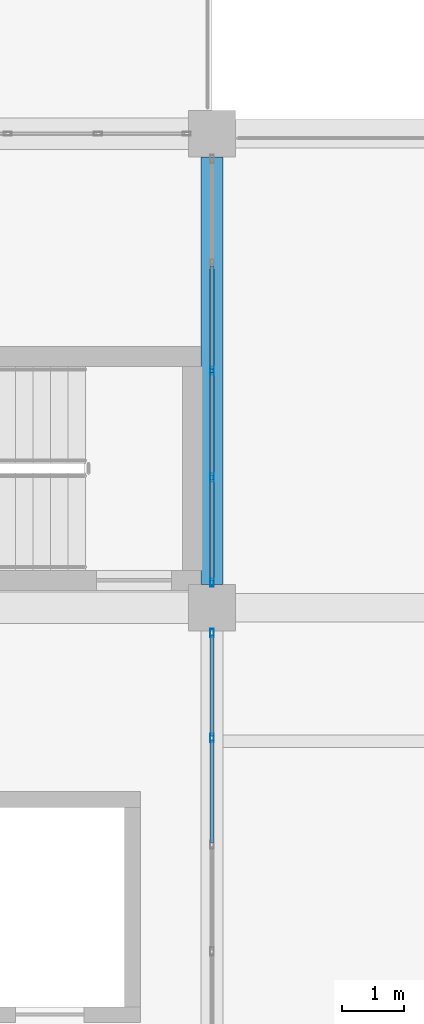
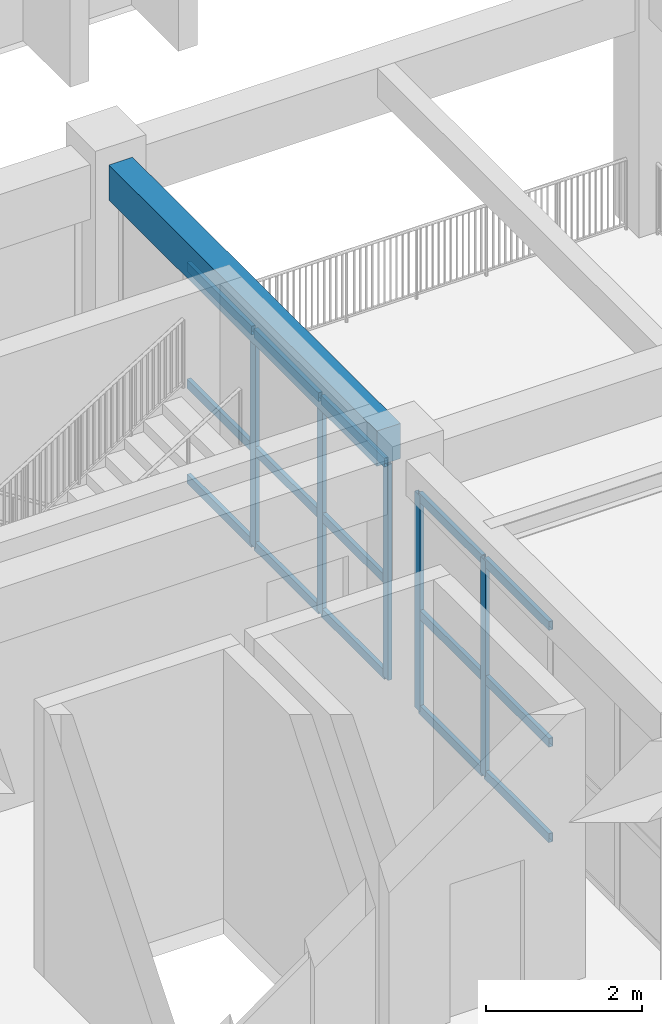
# One storey, part 27 of 63: 20 members, 1 beam, 2 elements without a shape of their own.
"""IFC4 building model written with IfcOpenShell, lengths in metres."""

from ifc_helpers import new_model, si_unit, direction, frame, origin, origin_2d, place, context, subcontext, project, spatial, rectangle, hollow_rectangle, extrude, material, material_profile, profile_set, type_object, element, aggregate, save


model = new_model("IFC4")

# Units and contexts
model_context = context("Model", 3, precision=1e-05, world=origin(), true_north=direction((0.0, 1.0)))
body_context = subcontext(model_context, "Body", "Model", "MODEL_VIEW")
ifc_project = project(units=[si_unit("LENGTHUNIT", "METRE"), si_unit("AREAUNIT", "SQUARE_METRE"), si_unit("VOLUMEUNIT", "CUBIC_METRE"), si_unit("PLANEANGLEUNIT", "RADIAN"), si_unit("MASSUNIT", "GRAM", prefix="KILO")], contexts=[model_context])

# Site, building, storey
site_placement = place(None, origin())
site = spatial("IfcSite", under=ifc_project, at=site_placement, CompositionType="ELEMENT")
building_placement = place(site_placement, origin())
building = spatial("IfcBuilding", under=site, at=building_placement, Name="Zantavel Square City Hall", CompositionType="ELEMENT")
storey_placement = place(building_placement, frame((0.0, 0.0, 14.699951171875)))
storey = spatial("IfcBuildingStorey", under=building, at=storey_placement, Name="L04", CompositionType="ELEMENT", Elevation=14.699951171875)

# Curtain wall, members
ifc_material_1 = material(Name="Anodised aluminium 6063-T6", Category="aluminium")
curtain_wall_type = type_object("IfcCurtainWallType", Name="Curtain Wall TRV1 6850x3370", PredefinedType="USERDEFINED", material=ifc_material_1)
curtain_wall_1_placement = place(storey_placement, origin())
curtain_wall_1 = element("IfcCurtainWall", 1, at=curtain_wall_1_placement, inside=storey, type_object=curtain_wall_type, Name="L04 Glazed Curtain Wall CW-L04-111", ObjectType="GLAZED CURTAIN WALL", PredefinedType="USERDEFINED")
ifc_material_profile_1 = material_profile(ifc_material_1, hollow_rectangle(XDim=0.06005859375, YDim=0.135009765625, WallThickness=0.00390625, at=origin_2d()), Name="ALU 60x135x4")
ifc_profile_set_1 = profile_set([ifc_material_profile_1], Name="Anodised aluminium 6063-T6")
member_type_1 = type_object("IfcMemberType", Name="CW Mullion ALU 60x135x4", PredefinedType="MULLION", material=ifc_profile_set_1)
member_1_placement = place(storey_placement, frame((104.0, 64.60009765625, 0.0), z_axis=(0.0, 0.0, 1.0), x_axis=(1.0, 0.0, 0.0)))
member_1 = element("IfcMember", 2, at=member_1_placement, type_object=member_type_1, Name="CW-111 mullion 3", PredefinedType="MULLION", context=body_context, shape_type="SweptSolid", body=[
    extrude(hollow_rectangle(XDim=0.06005859375, YDim=0.135009765625, WallThickness=0.00390625, at=origin_2d()), origin(), (0.0, 0.0, 1.0), 3.3701171875),
])
member_2_placement = place(storey_placement, frame((104.0, 62.887451171875, 0.0), z_axis=(0.0, 0.0, 1.0), x_axis=(1.0, 0.0, 0.0)))
member_2 = element("IfcMember", 3, at=member_2_placement, type_object=member_type_1, Name="CW-111 mullion 4", PredefinedType="MULLION", context=body_context, shape_type="SweptSolid", body=[
    extrude(hollow_rectangle(XDim=0.06005859375, YDim=0.135009765625, WallThickness=0.00390625, at=origin_2d()), origin(), (0.0, 0.0, 1.0), 3.3701171875),
])
member_3_placement = place(storey_placement, frame((104.0, 61.205078125, 0.0), z_axis=(0.0, 0.0, 1.0), x_axis=(1.0, 0.0, 0.0)))
member_3 = element("IfcMember", 4, at=member_3_placement, type_object=member_type_1, Name="CW-111 mullion 5", PredefinedType="MULLION", context=body_context, shape_type="SweptSolid", body=[
    extrude(hollow_rectangle(XDim=0.06005859375, YDim=0.135009765625, WallThickness=0.00390625, at=origin_2d()), origin(), (0.0, 0.0, 1.0), 3.3701171875),
])

curtain_wall_2_placement = place(storey_placement, origin())
curtain_wall_2 = element("IfcCurtainWall", 5, at=curtain_wall_2_placement, inside=storey, type_object=curtain_wall_type, Name="L04 Glazed Curtain Wall CW-L04-112", ObjectType="GLAZED CURTAIN WALL", PredefinedType="USERDEFINED")
member_4_placement = place(storey_placement, frame((104.0, 60.39501953125, 0.0), z_axis=(0.0, 0.0, 1.0), x_axis=(1.0, 0.0, 0.0)))
member_4 = element("IfcMember", 6, at=member_4_placement, type_object=member_type_1, Name="CW-112 mullion 1", PredefinedType="MULLION", context=body_context, shape_type="SweptSolid", body=[
    extrude(hollow_rectangle(XDim=0.06005859375, YDim=0.135009765625, WallThickness=0.00390625, at=origin_2d()), origin(), (0.0, 0.0, 1.0), 3.3701171875),
])
member_5_placement = place(storey_placement, frame((104.0, 58.71240234375, 0.0), z_axis=(0.0, 0.0, 1.0), x_axis=(1.0, 0.0, 0.0)))
member_5 = element("IfcMember", 7, at=member_5_placement, type_object=member_type_1, Name="CW-112 mullion 2", PredefinedType="MULLION", context=body_context, shape_type="SweptSolid", body=[
    extrude(hollow_rectangle(XDim=0.06005859375, YDim=0.135009765625, WallThickness=0.00390625, at=origin_2d()), origin(), (0.0, 0.0, 1.0), 3.3701171875),
])

# Member
ifc_material_profile_2 = material_profile(ifc_material_1, hollow_rectangle(XDim=0.06005859375, YDim=0.139892578125, WallThickness=0.00390625, at=origin_2d()), Name="ALU 60x140x4")
ifc_profile_set_2 = profile_set([ifc_material_profile_2], Name="Anodised aluminium 6063-T6")
member_type_2 = type_object("IfcMemberType", Name="CW Transom ALU 60x140x4", PredefinedType="USERDEFINED", material=ifc_profile_set_2)
member_6_placement = place(storey_placement, frame((104.0, 66.282470703125, 0.030029296875), z_axis=(0.0, -1.0, 0.0), x_axis=(1.0, 0.0, 0.0)))
member_6 = element("IfcMember", 8, at=member_6_placement, type_object=member_type_2, Name="CW-111 transom 2.1", ObjectType="TRANSOM", PredefinedType="USERDEFINED", context=body_context, shape_type="SweptSolid", body=[
    extrude(hollow_rectangle(XDim=0.06005859375, YDim=0.139892578125, WallThickness=0.00390625, at=origin_2d()), origin(), (0.0, 0.0, 1.0), 1.652587890625),
])

member_7_placement = place(storey_placement, frame((104.0, 66.282470703125, 1.51708984375), z_axis=(0.0, -1.0, 0.0), x_axis=(1.0, 0.0, 0.0)))
member_7 = element("IfcMember", 9, at=member_7_placement, type_object=member_type_2, Name="CW-111 transom 2.2", ObjectType="TRANSOM", PredefinedType="USERDEFINED", context=body_context, shape_type="SweptSolid", body=[
    extrude(hollow_rectangle(XDim=0.06005859375, YDim=0.139892578125, WallThickness=0.00390625, at=origin_2d()), origin(), (0.0, 0.0, 1.0), 1.652587890625),
])

member_8_placement = place(storey_placement, frame((104.0, 66.282470703125, 3.340087890625), z_axis=(0.0, -1.0, 0.0), x_axis=(1.0, 0.0, 0.0)))
member_8 = element("IfcMember", 10, at=member_8_placement, type_object=member_type_2, Name="CW-111 transom 2.3", ObjectType="TRANSOM", PredefinedType="USERDEFINED", context=body_context, shape_type="SweptSolid", body=[
    extrude(hollow_rectangle(XDim=0.06005859375, YDim=0.139892578125, WallThickness=0.00390625, at=origin_2d()), origin(), (0.0, 0.0, 1.0), 1.652587890625),
])

member_9_placement = place(storey_placement, frame((104.0, 64.570068359375, 0.030029296875), z_axis=(0.0, -1.0, 0.0), x_axis=(1.0, 0.0, 0.0)))
member_9 = element("IfcMember", 11, at=member_9_placement, type_object=member_type_2, Name="CW-111 transom 3.1", ObjectType="TRANSOM", PredefinedType="USERDEFINED", context=body_context, shape_type="SweptSolid", body=[
    extrude(hollow_rectangle(XDim=0.06005859375, YDim=0.139892578125, WallThickness=0.00390625, at=origin_2d()), origin(), (0.0, 0.0, 1.0), 1.652587890625),
])

member_10_placement = place(storey_placement, frame((104.0, 64.570068359375, 1.51708984375), z_axis=(0.0, -1.0, 0.0), x_axis=(1.0, 0.0, 0.0)))
member_10 = element("IfcMember", 12, at=member_10_placement, type_object=member_type_2, Name="CW-111 transom 3.2", ObjectType="TRANSOM", PredefinedType="USERDEFINED", context=body_context, shape_type="SweptSolid", body=[
    extrude(hollow_rectangle(XDim=0.06005859375, YDim=0.139892578125, WallThickness=0.00390625, at=origin_2d()), origin(), (0.0, 0.0, 1.0), 1.652587890625),
])

member_11_placement = place(storey_placement, frame((104.0, 64.570068359375, 3.340087890625), z_axis=(0.0, -1.0, 0.0), x_axis=(1.0, 0.0, 0.0)))
member_11 = element("IfcMember", 13, at=member_11_placement, type_object=member_type_2, Name="CW-111 transom 3.3", ObjectType="TRANSOM", PredefinedType="USERDEFINED", context=body_context, shape_type="SweptSolid", body=[
    extrude(hollow_rectangle(XDim=0.06005859375, YDim=0.139892578125, WallThickness=0.00390625, at=origin_2d()), origin(), (0.0, 0.0, 1.0), 1.652587890625),
])

member_12_placement = place(storey_placement, frame((104.0, 62.857421875, 0.030029296875), z_axis=(0.0, -1.0, 0.0), x_axis=(1.0, 0.0, 0.0)))
member_12 = element("IfcMember", 14, at=member_12_placement, type_object=member_type_2, Name="CW-111 transom 4.1", ObjectType="TRANSOM", PredefinedType="USERDEFINED", context=body_context, shape_type="SweptSolid", body=[
    extrude(hollow_rectangle(XDim=0.06005859375, YDim=0.139892578125, WallThickness=0.00390625, at=origin_2d()), origin(), (0.0, 0.0, 1.0), 1.622314453125),
])

member_13_placement = place(storey_placement, frame((104.0, 62.857421875, 1.51708984375), z_axis=(0.0, -1.0, 0.0), x_axis=(1.0, 0.0, 0.0)))
member_13 = element("IfcMember", 15, at=member_13_placement, type_object=member_type_2, Name="CW-111 transom 4.2", ObjectType="TRANSOM", PredefinedType="USERDEFINED", context=body_context, shape_type="SweptSolid", body=[
    extrude(hollow_rectangle(XDim=0.06005859375, YDim=0.139892578125, WallThickness=0.00390625, at=origin_2d()), origin(), (0.0, 0.0, 1.0), 1.622314453125),
])

member_14_placement = place(storey_placement, frame((104.0, 62.857421875, 3.340087890625), z_axis=(0.0, -1.0, 0.0), x_axis=(1.0, 0.0, 0.0)))
member_14 = element("IfcMember", 16, at=member_14_placement, type_object=member_type_2, Name="CW-111 transom 4.3", ObjectType="TRANSOM", PredefinedType="USERDEFINED", context=body_context, shape_type="SweptSolid", body=[
    extrude(hollow_rectangle(XDim=0.06005859375, YDim=0.139892578125, WallThickness=0.00390625, at=origin_2d()), origin(), (0.0, 0.0, 1.0), 1.622314453125),
])

aggregate(curtain_wall_1, [member_1, member_2, member_3, member_6, member_7, member_8, member_9, member_10, member_11, member_12, member_13, member_14])

member_15_placement = place(storey_placement, frame((104.0, 60.364990234375, 0.030029296875), z_axis=(0.0, -1.0, 0.0), x_axis=(1.0, 0.0, 0.0)))
member_15 = element("IfcMember", 17, at=member_15_placement, type_object=member_type_2, Name="CW-112 transom 1.1", ObjectType="TRANSOM", PredefinedType="USERDEFINED", context=body_context, shape_type="SweptSolid", body=[
    extrude(hollow_rectangle(XDim=0.06005859375, YDim=0.139892578125, WallThickness=0.00390625, at=origin_2d()), origin(), (0.0, 0.0, 1.0), 1.62255859375),
])

member_16_placement = place(storey_placement, frame((104.0, 60.364990234375, 1.51708984375), z_axis=(0.0, -1.0, 0.0), x_axis=(1.0, 0.0, 0.0)))
member_16 = element("IfcMember", 18, at=member_16_placement, type_object=member_type_2, Name="CW-112 transom 1.2", ObjectType="TRANSOM", PredefinedType="USERDEFINED", context=body_context, shape_type="SweptSolid", body=[
    extrude(hollow_rectangle(XDim=0.06005859375, YDim=0.139892578125, WallThickness=0.00390625, at=origin_2d()), origin(), (0.0, 0.0, 1.0), 1.62255859375),
])

member_17_placement = place(storey_placement, frame((104.0, 60.364990234375, 3.340087890625), z_axis=(0.0, -1.0, 0.0), x_axis=(1.0, 0.0, 0.0)))
member_17 = element("IfcMember", 19, at=member_17_placement, type_object=member_type_2, Name="CW-112 transom 1.3", ObjectType="TRANSOM", PredefinedType="USERDEFINED", context=body_context, shape_type="SweptSolid", body=[
    extrude(hollow_rectangle(XDim=0.06005859375, YDim=0.139892578125, WallThickness=0.00390625, at=origin_2d()), origin(), (0.0, 0.0, 1.0), 1.62255859375),
])

member_18_placement = place(storey_placement, frame((104.0, 58.6826171875, 0.030029296875), z_axis=(0.0, -1.0, 0.0), x_axis=(1.0, 0.0, 0.0)))
member_18 = element("IfcMember", 20, at=member_18_placement, type_object=member_type_2, Name="CW-112 transom 2.1", ObjectType="TRANSOM", PredefinedType="USERDEFINED", context=body_context, shape_type="SweptSolid", body=[
    extrude(hollow_rectangle(XDim=0.06005859375, YDim=0.139892578125, WallThickness=0.00390625, at=origin_2d()), origin(), (0.0, 0.0, 1.0), 1.652587890625),
])

member_19_placement = place(storey_placement, frame((104.0, 58.6826171875, 1.51708984375), z_axis=(0.0, -1.0, 0.0), x_axis=(1.0, 0.0, 0.0)))
member_19 = element("IfcMember", 21, at=member_19_placement, type_object=member_type_2, Name="CW-112 transom 2.2", ObjectType="TRANSOM", PredefinedType="USERDEFINED", context=body_context, shape_type="SweptSolid", body=[
    extrude(hollow_rectangle(XDim=0.06005859375, YDim=0.139892578125, WallThickness=0.00390625, at=origin_2d()), origin(), (0.0, 0.0, 1.0), 1.652587890625),
])

member_20_placement = place(storey_placement, frame((104.0, 58.6826171875, 3.340087890625), z_axis=(0.0, -1.0, 0.0), x_axis=(1.0, 0.0, 0.0)))
member_20 = element("IfcMember", 22, at=member_20_placement, type_object=member_type_2, Name="CW-112 transom 2.3", ObjectType="TRANSOM", PredefinedType="USERDEFINED", context=body_context, shape_type="SweptSolid", body=[
    extrude(hollow_rectangle(XDim=0.06005859375, YDim=0.139892578125, WallThickness=0.00390625, at=origin_2d()), origin(), (0.0, 0.0, 1.0), 1.652587890625),
])

aggregate(curtain_wall_2, [member_4, member_5, member_15, member_16, member_17, member_18, member_19, member_20])

# Beam
ifc_material_2 = material(Name="Concrete C35/45", Category="concrete")
ifc_material_profile_3 = material_profile(ifc_material_2, rectangle(XDim=0.35009765625, YDim=0.550048828125, at=origin_2d()), Name="RC 350x550")
ifc_profile_set_3 = profile_set([ifc_material_profile_3], Name="Concrete C35/45")
beam_type = type_object("IfcBeamType", Name="Secondary Beam RC 350x550 C35/45", PredefinedType="BEAM", material=ifc_profile_set_3)
beam_placement = place(storey_placement, frame((104.0, 61.175048828125, 3.64501953125), z_axis=(0.0, 1.0, 0.0), x_axis=(-1.0, 0.0, 0.0)))
element("IfcBeam", 23, at=beam_placement, inside=storey, type_object=beam_type, Name="L04 Beam BMY-L04-1040-0608", PredefinedType="BEAM", context=body_context, shape_type="SweptSolid", body=[
    extrude(rectangle(XDim=0.35009765625, YDim=0.550048828125, at=origin_2d()), origin(), (0.0, 0.0, 1.0), 6.849853515625),
])

save(model, "model.ifc")
